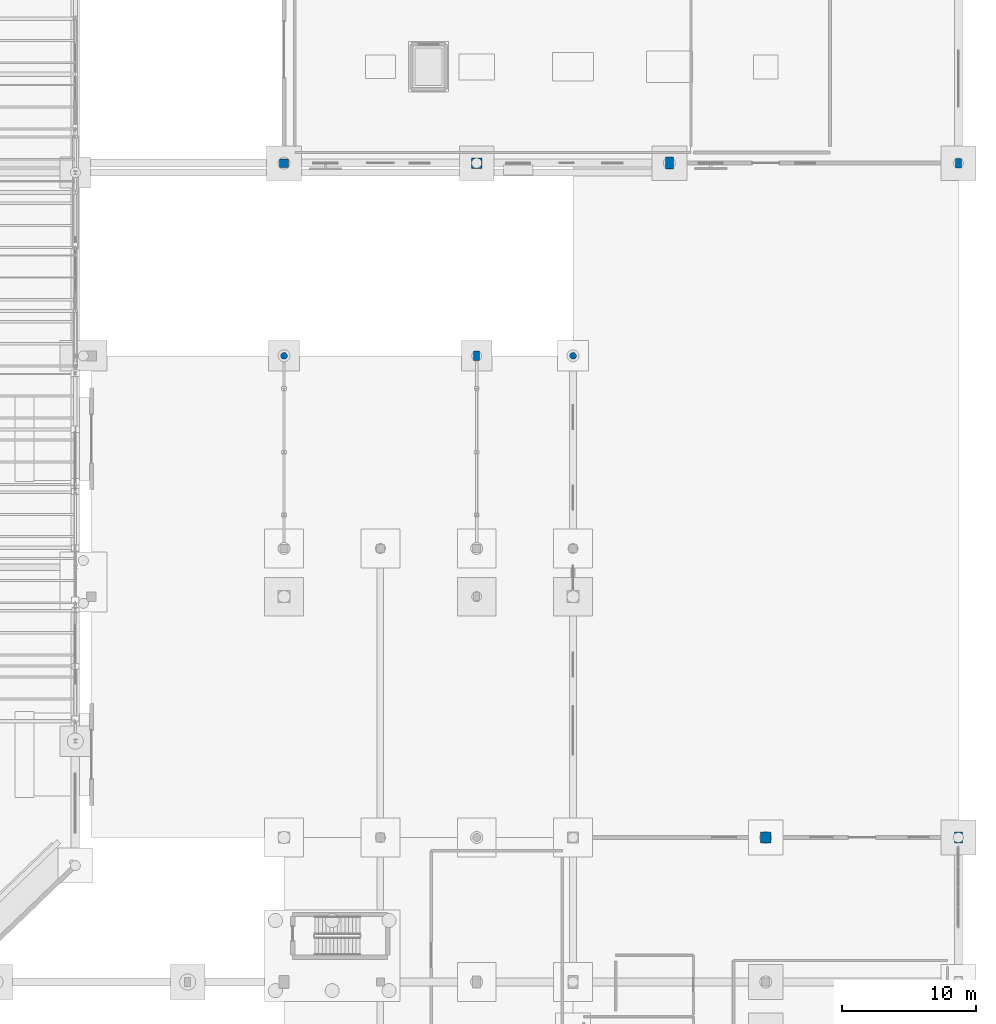
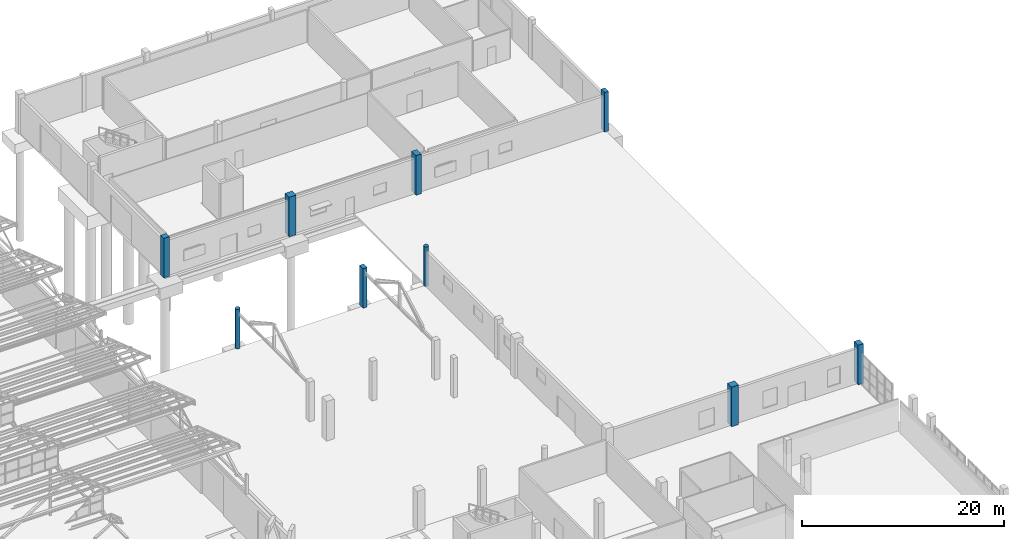
# One storey, part 33 of 285: 9 columns.
"""IFC4 building model written with IfcOpenShell, lengths in metres."""

from ifc_helpers import new_model, si_unit, direction, frame, origin, origin_2d, place, context, subcontext, project, spatial, rectangle, circle, extrude, material, material_profile, profile_set, type_object, element, save


model = new_model("IFC4")

# Units and contexts
model_context = context("Model", 3, precision=1e-05, world=origin(), true_north=direction((0.0, 1.0)))
body_context = subcontext(model_context, "Body", "Model", "MODEL_VIEW")
ifc_project = project(units=[si_unit("LENGTHUNIT", "METRE"), si_unit("AREAUNIT", "SQUARE_METRE"), si_unit("VOLUMEUNIT", "CUBIC_METRE"), si_unit("PLANEANGLEUNIT", "RADIAN"), si_unit("MASSUNIT", "GRAM", prefix="KILO")], contexts=[model_context])

# Site, building, storey
site_placement = place(None, origin())
site = spatial("IfcSite", under=ifc_project, at=site_placement, CompositionType="ELEMENT")
building_placement = place(site_placement, origin())
building = spatial("IfcBuilding", under=site, at=building_placement, Name="Solanera Park Tramway Depot", CompositionType="ELEMENT")
storey_placement = place(building_placement, origin())
storey = spatial("IfcBuildingStorey", under=building, at=storey_placement, Name="L00", CompositionType="ELEMENT", Elevation=0.0)

# Columns
ifc_material_1 = material(Name="Concrete N40 (C40/50)", Category="concrete")
ifc_material_profile_1 = material_profile(ifc_material_1, rectangle(XDim=0.449951171875, YDim=0.699951171875, at=origin_2d()), Name="RC 450x700")
ifc_profile_set_1 = profile_set([ifc_material_profile_1], Name="Concrete N40 (C40/50)")
column_type_1 = type_object("IfcColumnType", Name="RC Column Ext RC 450x700", PredefinedType="COLUMN", material=ifc_profile_set_1)
for number, where, z_axis, x_axis, name in (
    (1, (180.0, 100.800048828125, 0.0), (0.0, 0.0, 1.0), (1.0, 0.0, 0.0), "L00 Column V4-X1800-Y1008"),
    (2, (216.0, 115.199951171875, 0.0), (0.0, 0.0, 1.0), (1.0, 0.0, 0.0), "L00 Column V3-X2160-Y1152"),
):
    element("IfcColumn", number, at=place(storey_placement, frame(where, z_axis=z_axis, x_axis=x_axis)), inside=storey, type_object=column_type_1, Name=name, PredefinedType="COLUMN", context=body_context, shape_type="SweptSolid", body=[
        extrude(rectangle(XDim=0.449951171875, YDim=0.699951171875, at=origin_2d()), origin(), (0.0, 0.0, 1.0), 4.800048828125),
    ])
ifc_material_2 = material(Name="Concrete N40 (C40/50)", Category="concrete")
ifc_material_profile_2 = material_profile(ifc_material_2, rectangle(XDim=0.60009765625, YDim=0.800048828125, at=origin_2d()), Name="RC 600x800")
ifc_profile_set_2 = profile_set([ifc_material_profile_2], Name="Concrete N40 (C40/50)")
column_type_2 = type_object("IfcColumnType", Name="RC Column Ext RC 600x800", PredefinedType="COLUMN", material=ifc_profile_set_2)
column_1_placement = place(storey_placement, frame((216.0, 64.800048828125, 0.0), z_axis=(0.0, 0.0, 1.0), x_axis=(1.0, 0.0, 0.0)))
element("IfcColumn", 3, at=column_1_placement, inside=storey, type_object=column_type_2, Name="L00 Column V5-X2160-Y648", PredefinedType="COLUMN", context=body_context, shape_type="SweptSolid", body=[
    extrude(rectangle(XDim=0.60009765625, YDim=0.800048828125, at=origin_2d()), origin(), (0.0, 0.0, 1.0), 4.800048828125),
])
ifc_material_3 = material(Name="Concrete N40 (C40/50)", Category="concrete")
ifc_material_profile_3 = material_profile(ifc_material_3, rectangle(XDim=0.60009765625, YDim=0.89990234375, at=origin_2d()), Name="RC 600x900")
ifc_profile_set_3 = profile_set([ifc_material_profile_3], Name="Concrete N40 (C40/50)")
column_type_3 = type_object("IfcColumnType", Name="RC Column Ext RC 600x900", PredefinedType="COLUMN", material=ifc_profile_set_3)
column_2_placement = place(storey_placement, frame((194.39990234375, 115.199951171875, 0.0), z_axis=(0.0, 0.0, 1.0), x_axis=(1.0, 0.0, 0.0)))
element("IfcColumn", 4, at=column_2_placement, inside=storey, type_object=column_type_3, Name="L00 Column V3-X1944-Y1152", PredefinedType="COLUMN", context=body_context, shape_type="SweptSolid", body=[
    extrude(rectangle(XDim=0.60009765625, YDim=0.89990234375, at=origin_2d()), origin(), (0.0, 0.0, 1.0), 4.800048828125),
])
ifc_material_4 = material(Name="Concrete N40 (C40/50)", Category="concrete")
ifc_material_profile_4 = material_profile(ifc_material_4, rectangle(XDim=0.64990234375, YDim=0.64990234375, at=origin_2d()), Name="RC 650x650")
ifc_profile_set_4 = profile_set([ifc_material_profile_4], Name="Concrete N40 (C40/50)")
column_type_4 = type_object("IfcColumnType", Name="RC Column Ext RC 650x650", PredefinedType="COLUMN", material=ifc_profile_set_4)
column_3_placement = place(storey_placement, frame((165.60009765625, 115.199951171875, 0.0), z_axis=(0.0, 0.0, 1.0), x_axis=(1.0, 0.0, 0.0)))
element("IfcColumn", 5, at=column_3_placement, inside=storey, type_object=column_type_4, Name="L00 Column V3-X1656-Y1152", PredefinedType="COLUMN", context=body_context, shape_type="SweptSolid", body=[
    extrude(rectangle(XDim=0.64990234375, YDim=0.64990234375, at=origin_2d()), origin(), (0.0, 0.0, 1.0), 4.800048828125),
])
ifc_material_5 = material(Name="Concrete N40 (C40/50)", Category="concrete")
ifc_material_profile_5 = material_profile(ifc_material_5, rectangle(XDim=0.800048828125, YDim=0.800048828125, at=origin_2d()), Name="RC 800x800")
ifc_profile_set_5 = profile_set([ifc_material_profile_5], Name="Concrete N40 (C40/50)")
column_type_5 = type_object("IfcColumnType", Name="RC Column Ext RC 800x800", PredefinedType="COLUMN", material=ifc_profile_set_5)
for number, where, z_axis, x_axis, name in (
    (6, (180.0, 115.199951171875, 0.0), (0.0, 0.0, 1.0), (1.0, 0.0, 0.0), "L00 Column V3-X1800-Y1152"),
    (7, (201.60009765625, 64.800048828125, 0.0), (0.0, 0.0, 1.0), (1.0, 0.0, 0.0), "L00 Column V5-X2016-Y648"),
):
    element("IfcColumn", number, at=place(storey_placement, frame(where, z_axis=z_axis, x_axis=x_axis)), inside=storey, type_object=column_type_5, Name=name, PredefinedType="COLUMN", context=body_context, shape_type="SweptSolid", body=[
        extrude(rectangle(XDim=0.800048828125, YDim=0.800048828125, at=origin_2d()), origin(), (0.0, 0.0, 1.0), 4.800048828125),
    ])
ifc_material_6 = material(Name="Concrete N40 (C40/50)", Category="concrete")
ifc_material_profile_6 = material_profile(ifc_material_6, circle(Radius=0.25, at=origin_2d()), Name="RC D500")
ifc_profile_set_6 = profile_set([ifc_material_profile_6], Name="Concrete N40 (C40/50)")
column_type_6 = type_object("IfcColumnType", Name="RC Column Ext RC D500", PredefinedType="COLUMN", material=ifc_profile_set_6)
for number, where, z_axis, x_axis, name in (
    (8, (165.60009765625, 100.800048828125, 0.0), (0.0, 0.0, 1.0), (1.0, 0.0, 0.0), "L00 Column V4-X1656-Y1008"),
    (9, (187.199951171875, 100.800048828125, 0.0), (0.0, 0.0, 1.0), (1.0, 0.0, 0.0), "L00 Column V4-X1872-Y1008"),
):
    element("IfcColumn", number, at=place(storey_placement, frame(where, z_axis=z_axis, x_axis=x_axis)), inside=storey, type_object=column_type_6, Name=name, PredefinedType="COLUMN", context=body_context, shape_type="SweptSolid", body=[
        extrude(circle(Radius=0.25, at=origin_2d()), origin(), (0.0, 0.0, 1.0), 4.800048828125),
    ])

save(model, "model.ifc")
